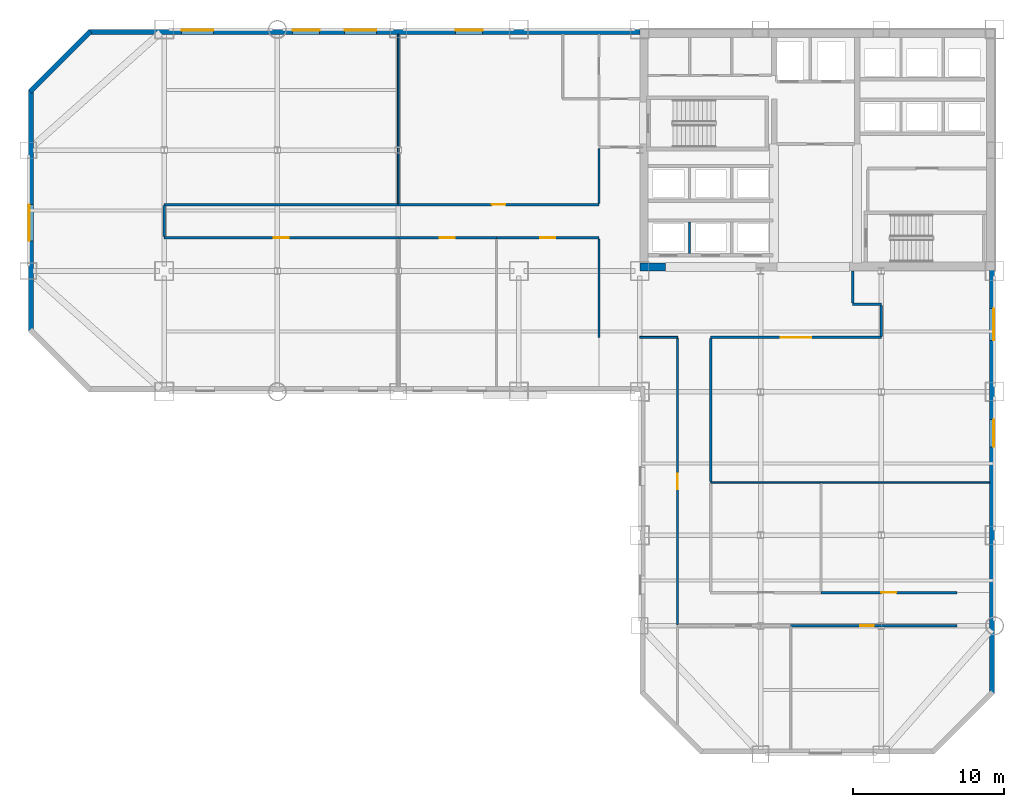
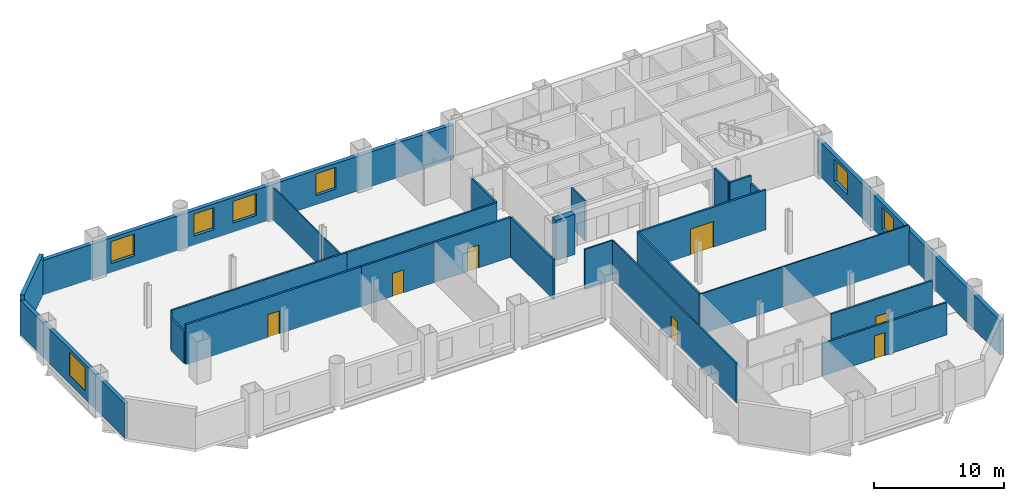
# One storey, part 5 of 9: 26 walls, 8 doors, 7 windows, 15 openings.
"""IFC4 building model written with IfcOpenShell, lengths in metres."""

from ifc_helpers import new_model, si_unit, direction, frame, frame_2d, origin, place, context, subcontext, project, spatial, rectangle, extrude, material, layer, layer_set, type_object, element, fill, save


model = new_model("IFC4")

# Units and contexts
model_context = context("Model", 3, precision=1e-05, world=origin(), true_north=direction((0.0, 1.0)))
body_context = subcontext(model_context, "Body", "Model", "MODEL_VIEW")
ifc_project = project(units=[si_unit("LENGTHUNIT", "METRE"), si_unit("AREAUNIT", "SQUARE_METRE"), si_unit("VOLUMEUNIT", "CUBIC_METRE"), si_unit("PLANEANGLEUNIT", "RADIAN"), si_unit("MASSUNIT", "GRAM", prefix="KILO")], contexts=[model_context])

# Site, building, storey
site_placement = place(None, origin())
site = spatial("IfcSite", under=ifc_project, at=site_placement, CompositionType="ELEMENT")
building_placement = place(site_placement, origin())
building = spatial("IfcBuilding", under=site, at=building_placement, Name="Qianrong Seaharbour Tower", CompositionType="ELEMENT")
storey_placement = place(building_placement, frame((0.0, 0.0, 56.199951171875)))
storey = spatial("IfcBuildingStorey", under=building, at=storey_placement, Name="L13", CompositionType="ELEMENT", Elevation=56.199951171875)

# Wall
ifc_material_1 = material(Name="Concrete C70/85", Category="concrete")
ifc_layer_1 = layer(ifc_material_1, 0.5400390625)
ifc_layer_set_1 = layer_set([ifc_layer_1], Name="Concrete C70/85")
wall_type_1 = type_object("IfcWallType", Name="WALL-CORE-540", PredefinedType="SHEAR", material=ifc_layer_set_1)
wall_1_placement = place(storey_placement, frame((40.5, 36.27001953125, 0.0), z_axis=(0.0, 0.0, 1.0), x_axis=(1.0, 0.0, 0.0)))
element("IfcWall", 1, at=wall_1_placement, inside=storey, type_object=wall_type_1, Name="L13 South Core Shear Wall S1", PredefinedType="SHEAR", context=body_context, shape_type="SweptSolid", body=[
    extrude(rectangle(XDim=1.699951171875, YDim=0.5400390625, at=frame_2d((0.85009765625, 0.0))), origin(), (0.0, 0.0, 1.0), 3.75),
])

# Wall, opening, door
ifc_material_2 = material(Name="Fire-rated acoustic gypsum board partition")
ifc_layer_2 = layer(ifc_material_2, 0.1650390625)
ifc_layer_set_2 = layer_set([ifc_layer_2], Name="Fire-rated acoustic gypsum board partition")
wall_type_2 = type_object("IfcWallType", Name="WALL-CORR-PART-165", PredefinedType="PARTITIONING", material=ifc_layer_set_2)
wall_2_placement = place(storey_placement, frame((24.5, 38.199951171875, 0.0), z_axis=(0.0, 0.0, 1.0), x_axis=(-1.0, 0.0, 0.0)))
wall_2 = element("IfcWall", 2, at=wall_2_placement, inside=storey, type_object=wall_type_2, Name="L13 Interior Partition Wall 015", PredefinedType="PARTITIONING", context=body_context, shape_type="SweptSolid", body=[
    extrude(rectangle(XDim=15.5, YDim=0.1650390625, at=frame_2d((7.75, 0.0))), origin(), (0.0, 0.0, 1.0), 3.75),
])
opening_1_placement = place(wall_2_placement, frame((7.25, 0.0, 0.0)))
opening_1 = element("IfcOpeningElement", 3, at=opening_1_placement, cuts=wall_2, Name="Opening DO-01", PredefinedType="OPENING", context=body_context, shape_type="SweptSolid", body=[
    extrude(rectangle(XDim=1.0, YDim=2.14990234375, at=frame_2d((0.5, 1.074951171875))), frame((0.0, 0.092529296875, 0.0), z_axis=(0.0, -1.0, 0.0), x_axis=(1.0, 0.0, 0.0)), (0.0, 0.0, 1.0), 0.18505859375),
])
ifc_material_3 = material(Name="Acoustic timber and galvanized steel fire door assembly", Category="steel")
door_type_1 = type_object("IfcDoorType", Name="DOOR-OFFICE-1000x2150", OperationType="NOTDEFINED", PredefinedType="DOOR", material=ifc_material_3)
door_1_placement = place(opening_1_placement, origin())
door_1 = element("IfcDoor", 4, at=door_1_placement, inside=storey, type_object=door_type_1, Name="L13 West Harbour Open-Plan Office Door", OperationType="SINGLE_SWING_RIGHT", OverallHeight=2.14990234375, OverallWidth=1.0, PredefinedType="DOOR", context=body_context, shape_type="SweptSolid", body=[
    extrude(rectangle(XDim=1.0, YDim=2.14990234375, at=frame_2d((0.5, 1.074951171875))), frame((0.0, 0.02490234375, 0.0), z_axis=(0.0, -1.0, 0.0), x_axis=(1.0, 0.0, 0.0)), (0.0, 0.0, 1.0), 0.050048828125),
])
fill(opening_1, door_1)

# Walls
wall_3_placement = place(storey_placement, frame((9.0, 38.2744140625, 0.0), z_axis=(0.0, 0.0, 1.0), x_axis=(0.0, 1.0, 0.0)))
element("IfcWall", 5, at=wall_3_placement, inside=storey, type_object=wall_type_2, Name="L13 Interior Partition Wall 016", PredefinedType="PARTITIONING", context=body_context, shape_type="SweptSolid", body=[
    extrude(rectangle(XDim=2.051025390625, YDim=0.1650390625, at=frame_2d((1.025390625, 0.0))), origin(), (0.0, 0.0, 1.0), 3.0419921875),
])
wall_4_placement = place(storey_placement, frame((9.0, 40.39990234375, 0.0), z_axis=(0.0, 0.0, 1.0), x_axis=(1.0, 0.0, 0.0)))
element("IfcWall", 6, at=wall_4_placement, inside=storey, type_object=wall_type_2, Name="L13 Interior Partition Wall 017", PredefinedType="PARTITIONING", context=body_context, shape_type="SweptSolid", body=[
    extrude(rectangle(XDim=15.5, YDim=0.1650390625, at=frame_2d((7.75, 0.0))), origin(), (0.0, 0.0, 1.0), 3.75),
])

# Wall, opening, door
wall_5_placement = place(storey_placement, frame((24.5, 40.39990234375, 0.0), z_axis=(0.0, 0.0, 1.0), x_axis=(1.0, 0.0, 0.0)))
wall_5 = element("IfcWall", 7, at=wall_5_placement, inside=storey, type_object=wall_type_2, Name="L13 Interior Partition Wall 018", PredefinedType="PARTITIONING", context=body_context, shape_type="SweptSolid", body=[
    extrude(rectangle(XDim=13.300048828125, YDim=0.1650390625, at=frame_2d((6.64990234375, 0.0))), origin(), (0.0, 0.0, 1.0), 3.75),
])
opening_2_placement = place(wall_5_placement, frame((6.199951171875, 0.0, 0.0)))
opening_2 = element("IfcOpeningElement", 8, at=opening_2_placement, cuts=wall_5, Name="Opening DS-01", PredefinedType="OPENING", context=body_context, shape_type="SweptSolid", body=[
    extrude(rectangle(XDim=0.89990234375, YDim=2.14990234375, at=frame_2d((0.449951171875, 1.074951171875))), frame((0.0, 0.092529296875, 0.0), z_axis=(0.0, -1.0, 0.0), x_axis=(1.0, 0.0, 0.0)), (0.0, 0.0, 1.0), 0.18505859375),
])
door_type_2 = type_object("IfcDoorType", Name="DOOR-STORE-900x2150", OperationType="NOTDEFINED", PredefinedType="DOOR", material=ifc_material_3)
door_2_placement = place(opening_2_placement, origin())
door_2 = element("IfcDoor", 9, at=door_2_placement, inside=storey, type_object=door_type_2, Name="L13 Corporate Archive Room Door", OperationType="SINGLE_SWING_LEFT", OverallHeight=2.14990234375, OverallWidth=0.89990234375, PredefinedType="DOOR", context=body_context, shape_type="SweptSolid", body=[
    extrude(rectangle(XDim=0.89990234375, YDim=2.14990234375, at=frame_2d((0.449951171875, 1.074951171875))), frame((0.0, 0.02490234375, 0.0), z_axis=(0.0, -1.0, 0.0), x_axis=(1.0, 0.0, 0.0)), (0.0, 0.0, 1.0), 0.050048828125),
])
fill(opening_2, door_2)

wall_6_placement = place(storey_placement, frame((31.0, 38.199951171875, 0.0), z_axis=(0.0, 0.0, 1.0), x_axis=(-1.0, 0.0, 0.0)))
wall_6 = element("IfcWall", 10, at=wall_6_placement, inside=storey, type_object=wall_type_2, Name="L13 Interior Partition Wall 019", PredefinedType="PARTITIONING", context=body_context, shape_type="SweptSolid", body=[
    extrude(rectangle(XDim=6.5, YDim=0.1650390625, at=frame_2d((3.25, 0.0))), origin(), (0.0, 0.0, 1.0), 3.75),
])
opening_3_placement = place(wall_6_placement, frame((2.75, 0.0, 0.0)))
opening_3 = element("IfcOpeningElement", 11, at=opening_3_placement, cuts=wall_6, Name="Opening DO-01", PredefinedType="OPENING", context=body_context, shape_type="SweptSolid", body=[
    extrude(rectangle(XDim=1.0, YDim=2.14990234375, at=frame_2d((0.5, 1.074951171875))), frame((0.0, 0.092529296875, 0.0), z_axis=(0.0, -1.0, 0.0), x_axis=(1.0, 0.0, 0.0)), (0.0, 0.0, 1.0), 0.18505859375),
])
door_3_placement = place(opening_3_placement, origin())
door_3 = element("IfcDoor", 12, at=door_3_placement, inside=storey, type_object=door_type_1, Name="L13 Project Library 1 Door", OperationType="SINGLE_SWING_RIGHT", OverallHeight=2.14990234375, OverallWidth=1.0, PredefinedType="DOOR", context=body_context, shape_type="SweptSolid", body=[
    extrude(rectangle(XDim=1.0, YDim=2.14990234375, at=frame_2d((0.5, 1.074951171875))), frame((0.0, 0.02490234375, 0.0), z_axis=(0.0, -1.0, 0.0), x_axis=(1.0, 0.0, 0.0)), (0.0, 0.0, 1.0), 0.050048828125),
])
fill(opening_3, door_3)

wall_7_placement = place(storey_placement, frame((37.800048828125, 38.199951171875, 0.0), z_axis=(0.0, 0.0, 1.0), x_axis=(-1.0, 0.0, 0.0)))
wall_7 = element("IfcWall", 13, at=wall_7_placement, inside=storey, type_object=wall_type_2, Name="L13 Interior Partition Wall 020", PredefinedType="PARTITIONING", context=body_context, shape_type="SweptSolid", body=[
    extrude(rectangle(XDim=6.800048828125, YDim=0.1650390625, at=frame_2d((3.39990234375, 0.0))), origin(), (0.0, 0.0, 1.0), 3.75),
])
opening_4_placement = place(wall_7_placement, frame((2.89990234375, 0.0, 0.0)))
opening_4 = element("IfcOpeningElement", 14, at=opening_4_placement, cuts=wall_7, Name="Opening DO-01", PredefinedType="OPENING", context=body_context, shape_type="SweptSolid", body=[
    extrude(rectangle(XDim=1.0, YDim=2.14990234375, at=frame_2d((0.5, 1.074951171875))), frame((0.0, 0.092529296875, 0.0), z_axis=(0.0, -1.0, 0.0), x_axis=(1.0, 0.0, 0.0)), (0.0, 0.0, 1.0), 0.18505859375),
])
door_4_placement = place(opening_4_placement, origin())
door_4 = element("IfcDoor", 15, at=door_4_placement, inside=storey, type_object=door_type_1, Name="L13 Digital Media Hall 2 Door", OperationType="SINGLE_SWING_LEFT", OverallHeight=2.14990234375, OverallWidth=1.0, PredefinedType="DOOR", context=body_context, shape_type="SweptSolid", body=[
    extrude(rectangle(XDim=1.0, YDim=2.14990234375, at=frame_2d((0.5, 1.074951171875))), frame((0.0, 0.02490234375, 0.0), z_axis=(0.0, -1.0, 0.0), x_axis=(1.0, 0.0, 0.0)), (0.0, 0.0, 1.0), 0.050048828125),
])
fill(opening_4, door_4)

# Walls
wall_8_placement = place(storey_placement, frame((37.800048828125, 40.474609375, 0.0), z_axis=(0.0, 0.0, 1.0), x_axis=(0.0, 1.0, 0.0)))
element("IfcWall", 16, at=wall_8_placement, inside=storey, type_object=wall_type_2, Name="L13 Interior Partition Wall 021", PredefinedType="PARTITIONING", context=body_context, shape_type="SweptSolid", body=[
    extrude(rectangle(XDim=3.65087890625, YDim=0.1650390625, at=frame_2d((1.825439453125, 0.0))), origin(), (0.0, 0.0, 1.0), 3.75),
])
wall_9_placement = place(storey_placement, frame((37.800048828125, 31.60009765625, 0.0), z_axis=(0.0, 0.0, 1.0), x_axis=(0.0, 1.0, 0.0)))
element("IfcWall", 17, at=wall_9_placement, inside=storey, type_object=wall_type_2, Name="L13 Interior Partition Wall 022", PredefinedType="PARTITIONING", context=body_context, shape_type="SweptSolid", body=[
    extrude(rectangle(XDim=6.525390625, YDim=0.1650390625, at=frame_2d((3.2626953125, 0.0))), origin(), (0.0, 0.0, 1.0), 3.75),
])
wall_10_placement = place(storey_placement, frame((54.60009765625, 36.0, 0.0), z_axis=(0.0, 0.0, 1.0), x_axis=(0.0, -1.0, 0.0)))
element("IfcWall", 18, at=wall_10_placement, inside=storey, type_object=wall_type_2, Name="L13 Interior Partition Wall 023", PredefinedType="PARTITIONING", context=body_context, shape_type="SweptSolid", body=[
    extrude(rectangle(XDim=2.12548828125, YDim=0.1650390625, at=frame_2d((1.062744140625, 0.0))), origin(), (0.0, 0.0, 1.0), 3.75),
])
wall_11_placement = place(storey_placement, frame((54.60009765625, 33.800048828125, 0.0), z_axis=(0.0, 0.0, 1.0), x_axis=(1.0, 0.0, 0.0)))
element("IfcWall", 19, at=wall_11_placement, inside=storey, type_object=wall_type_2, Name="L13 Interior Partition Wall 024", PredefinedType="PARTITIONING", context=body_context, shape_type="SweptSolid", body=[
    extrude(rectangle(XDim=1.89990234375, YDim=0.1650390625, at=frame_2d((0.949951171875, 0.0))), origin(), (0.0, 0.0, 1.0), 3.75),
])
wall_12_placement = place(storey_placement, frame((56.5, 33.7255859375, 0.0), z_axis=(0.0, 0.0, 1.0), x_axis=(0.0, -1.0, 0.0)))
element("IfcWall", 20, at=wall_12_placement, inside=storey, type_object=wall_type_2, Name="L13 Interior Partition Wall 025", PredefinedType="PARTITIONING", context=body_context, shape_type="SweptSolid", body=[
    extrude(rectangle(XDim=2.051025390625, YDim=0.1650390625, at=frame_2d((1.025390625, 0.0))), origin(), (0.0, 0.0, 1.0), 3.0419921875),
])

# Wall, opening, door
wall_13_placement = place(storey_placement, frame((56.5, 31.60009765625, 0.0), z_axis=(0.0, 0.0, 1.0), x_axis=(-1.0, 0.0, 0.0)))
wall_13 = element("IfcWall", 21, at=wall_13_placement, inside=storey, type_object=wall_type_2, Name="L13 Interior Partition Wall 026", PredefinedType="PARTITIONING", context=body_context, shape_type="SweptSolid", body=[
    extrude(rectangle(XDim=11.300048828125, YDim=0.1650390625, at=frame_2d((5.64990234375, 0.0))), origin(), (0.0, 0.0, 1.0), 3.75),
])
opening_5_placement = place(wall_13_placement, frame((4.64990234375, 0.0, 0.0)))
opening_5 = element("IfcOpeningElement", 22, at=opening_5_placement, cuts=wall_13, Name="Opening DA-01", PredefinedType="OPENING", context=body_context, shape_type="SweptSolid", body=[
    extrude(rectangle(XDim=2.0, YDim=2.39990234375, at=frame_2d((1.0, 1.199951171875))), frame((0.0, 0.092529296875, 0.0), z_axis=(0.0, -1.0, 0.0), x_axis=(1.0, 0.0, 0.0)), (0.0, 0.0, 1.0), 0.18505859375),
])
door_type_3 = type_object("IfcDoorType", Name="DOOR-AUD-PAIR-2000x2400", OperationType="DOUBLE_DOOR_SINGLE_SWING", PredefinedType="DOOR", material=ifc_material_3)
door_5_placement = place(opening_5_placement, origin())
door_5 = element("IfcDoor", 23, at=door_5_placement, inside=storey, type_object=door_type_3, Name="L13 Staff Club Assembly Hall Door", OperationType="DOUBLE_DOOR_SINGLE_SWING", OverallHeight=2.39990234375, OverallWidth=2.0, PredefinedType="DOOR", context=body_context, shape_type="SweptSolid", body=[
    extrude(rectangle(XDim=2.0, YDim=2.39990234375, at=frame_2d((1.0, 1.199951171875))), frame((0.0, 0.02490234375, 0.0), z_axis=(0.0, -1.0, 0.0), x_axis=(1.0, 0.0, 0.0)), (0.0, 0.0, 1.0), 0.050048828125),
])
fill(opening_5, door_5)

# Wall
wall_14_placement = place(storey_placement, frame((45.199951171875, 31.525390625, 0.0), z_axis=(0.0, 0.0, 1.0), x_axis=(0.0, -1.0, 0.0)))
element("IfcWall", 24, at=wall_14_placement, inside=storey, type_object=wall_type_2, Name="L13 Interior Partition Wall 028", PredefinedType="PARTITIONING", context=body_context, shape_type="SweptSolid", body=[
    extrude(rectangle(XDim=9.478271484375, YDim=0.1650390625, at=frame_2d((4.7392578125, 0.0))), origin(), (0.0, 0.0, 1.0), 3.75),
])

# Wall, opening, door
wall_15_placement = place(storey_placement, frame((52.5, 14.699951171875, 0.0), z_axis=(0.0, 0.0, 1.0), x_axis=(1.0, 0.0, 0.0)))
wall_15 = element("IfcWall", 25, at=wall_15_placement, inside=storey, type_object=wall_type_2, Name="L13 Interior Partition Wall 033", PredefinedType="PARTITIONING", context=body_context, shape_type="SweptSolid", body=[
    extrude(rectangle(XDim=9.0, YDim=0.1650390625, at=frame_2d((4.5, 0.0))), origin(), (0.0, 0.0, 1.0), 3.75),
])
opening_6_placement = place(wall_15_placement, frame((4.0, 0.0, 0.0)))
opening_6 = element("IfcOpeningElement", 26, at=opening_6_placement, cuts=wall_15, Name="Opening DO-01", PredefinedType="OPENING", context=body_context, shape_type="SweptSolid", body=[
    extrude(rectangle(XDim=1.0, YDim=2.14990234375, at=frame_2d((0.5, 1.074951171875))), frame((0.0, 0.092529296875, 0.0), z_axis=(0.0, -1.0, 0.0), x_axis=(1.0, 0.0, 0.0)), (0.0, 0.0, 1.0), 0.18505859375),
])
door_6_placement = place(opening_6_placement, origin())
door_6 = element("IfcDoor", 27, at=door_6_placement, inside=storey, type_object=door_type_1, Name="L13 Executive Office 2 Door", OperationType="SINGLE_SWING_LEFT", OverallHeight=2.14990234375, OverallWidth=1.0, PredefinedType="DOOR", context=body_context, shape_type="SweptSolid", body=[
    extrude(rectangle(XDim=1.0, YDim=2.14990234375, at=frame_2d((0.5, 1.074951171875))), frame((0.0, 0.02490234375, 0.0), z_axis=(0.0, -1.0, 0.0), x_axis=(1.0, 0.0, 0.0)), (0.0, 0.0, 1.0), 0.050048828125),
])
fill(opening_6, door_6)

wall_16_placement = place(storey_placement, frame((61.5, 12.5, 0.0), z_axis=(0.0, 0.0, 1.0), x_axis=(-1.0, 0.0, 0.0)))
wall_16 = element("IfcWall", 28, at=wall_16_placement, inside=storey, type_object=wall_type_2, Name="L13 Interior Partition Wall 035", PredefinedType="PARTITIONING", context=body_context, shape_type="SweptSolid", body=[
    extrude(rectangle(XDim=11.0, YDim=0.1650390625, at=frame_2d((5.5, 0.0))), origin(), (0.0, 0.0, 1.0), 3.0419921875),
])
opening_7_placement = place(wall_16_placement, frame((5.5, 0.0, 0.0)))
opening_7 = element("IfcOpeningElement", 29, at=opening_7_placement, cuts=wall_16, Name="Opening DS-01", PredefinedType="OPENING", context=body_context, shape_type="SweptSolid", body=[
    extrude(rectangle(XDim=0.89990234375, YDim=2.14990234375, at=frame_2d((0.449951171875, 1.074951171875))), frame((0.0, 0.092529296875, 0.0), z_axis=(0.0, -1.0, 0.0), x_axis=(1.0, 0.0, 0.0)), (0.0, 0.0, 1.0), 0.18505859375),
])
door_7_placement = place(opening_7_placement, origin())
door_7 = element("IfcDoor", 30, at=door_7_placement, inside=storey, type_object=door_type_2, Name="L13 Corporate Archive Room 2 Door", OperationType="SINGLE_SWING_RIGHT", OverallHeight=2.14990234375, OverallWidth=0.89990234375, PredefinedType="DOOR", context=body_context, shape_type="SweptSolid", body=[
    extrude(rectangle(XDim=0.89990234375, YDim=2.14990234375, at=frame_2d((0.449951171875, 1.074951171875))), frame((0.0, 0.02490234375, 0.0), z_axis=(0.0, -1.0, 0.0), x_axis=(1.0, 0.0, 0.0)), (0.0, 0.0, 1.0), 0.050048828125),
])
fill(opening_7, door_7)

# Walls
ifc_material_4 = material(Name="Demountable aluminium-framed acoustic office partition", Category="aluminium")
ifc_layer_3 = layer(ifc_material_4, 0.110107421875)
ifc_layer_set_3 = layer_set([ifc_layer_3], Name="Demountable aluminium-framed acoustic office partition")
wall_type_3 = type_object("IfcWallType", Name="WALL-DEMOUNT-110", PredefinedType="MOVABLE", material=ifc_layer_set_3)
wall_17_placement = place(storey_placement, frame((24.5, 51.66796875, 0.0), z_axis=(0.0, 0.0, 1.0), x_axis=(0.0, -1.0, 0.0)))
element("IfcWall", 31, at=wall_17_placement, inside=storey, type_object=wall_type_3, Name="L13 Interior Partition Wall 036", PredefinedType="MOVABLE", context=body_context, shape_type="SweptSolid", body=[
    extrude(rectangle(XDim=11.193359375, YDim=0.110107421875, at=frame_2d((5.5966796875, 0.0))), origin(), (0.0, 0.0, 1.0), 3.0419921875),
])
wall_18_placement = place(storey_placement, frame((52.5, 22.0, 0.0), z_axis=(0.0, 0.0, 1.0), x_axis=(-1.0, 0.0, 0.0)))
element("IfcWall", 32, at=wall_18_placement, inside=storey, type_object=wall_type_3, Name="L13 Interior Partition Wall 039", PredefinedType="MOVABLE", context=body_context, shape_type="SweptSolid", body=[
    extrude(rectangle(XDim=7.300048828125, YDim=0.110107421875, at=frame_2d((3.64990234375, 0.0))), origin(), (0.0, 0.0, 1.0), 3.75),
])
wall_19_placement = place(storey_placement, frame((63.66796875, 22.0, 0.0), z_axis=(0.0, 0.0, 1.0), x_axis=(-1.0, 0.0, 0.0)))
element("IfcWall", 33, at=wall_19_placement, inside=storey, type_object=wall_type_3, Name="L13 Interior Partition Wall 040", PredefinedType="MOVABLE", context=body_context, shape_type="SweptSolid", body=[
    extrude(rectangle(XDim=11.16796875, YDim=0.110107421875, at=frame_2d((5.583984375, 0.0))), origin(), (0.0, 0.0, 1.0), 3.75),
])

# Wall, opening, window
ifc_material_5 = material(Name="Unitised buff brick on Precast concrete C45/55", Category="masonry")
ifc_layer_4 = layer(ifc_material_5, 0.340087890625)
ifc_layer_set_4 = layer_set([ifc_layer_4], Name="Unitised buff brick on Precast concrete C45/55")
wall_type_4 = type_object("IfcWallType", Name="WALL-EXT-BRICK-BUFF-340", PredefinedType="SOLIDWALL", material=ifc_layer_set_4)
wall_20_placement = place(storey_placement, frame((0.169921875, 32.0, 0.0), z_axis=(0.0, 0.0, 1.0), x_axis=(0.0, 1.0, 0.0)))
wall_20 = element("IfcWall", 34, at=wall_20_placement, inside=storey, type_object=wall_type_4, Name="L13 Exterior Masonry Facade Wall WEST_TIP", PredefinedType="SOLIDWALL", context=body_context, shape_type="SweptSolid", body=[
    extrude(rectangle(XDim=16.0, YDim=0.340087890625, at=frame_2d((8.0, 0.0))), origin(), (0.0, 0.0, 1.0), 3.25),
])
opening_8_placement = place(wall_20_placement, frame((6.0, 0.0, 0.800048828125)))
opening_8 = element("IfcOpeningElement", 35, at=opening_8_placement, cuts=wall_20, Name="Opening WN-07", PredefinedType="OPENING", context=body_context, shape_type="SweptSolid", body=[
    extrude(rectangle(XDim=2.39990234375, YDim=2.14990234375, at=frame_2d((1.199951171875, 1.074951171875))), frame((0.0, 0.18017578125, 0.0), z_axis=(0.0, -1.0, 0.0), x_axis=(1.0, 0.0, 0.0)), (0.0, 0.0, 1.0), 0.360107421875),
])
ifc_material_6 = material(Name="Insulated low-e double glazing in thermally broken aluminium 6063-T6 frame", Category="aluminium")
window_type_1 = type_object("IfcWindowType", Name="WIN-PUNCH-2400x2150", PartitioningType="TRIPLE_PANEL_VERTICAL", PredefinedType="WINDOW", material=ifc_material_6)
window_1_placement = place(opening_8_placement, origin())
window_1 = element("IfcWindow", 36, at=window_1_placement, inside=storey, type_object=window_type_1, Name="L13 Deep-Set Punched Window 03.02", OverallHeight=2.14990234375, OverallWidth=2.39990234375, PartitioningType="TRIPLE_PANEL_VERTICAL", PredefinedType="WINDOW", context=body_context, shape_type="SweptSolid", body=[
    extrude(rectangle(XDim=2.39990234375, YDim=2.14990234375, at=frame_2d((1.199951171875, 1.074951171875))), frame((0.0, 0.150146484375, 0.0), z_axis=(0.0, -1.0, 0.0), x_axis=(1.0, 0.0, 0.0)), (0.0, 0.0, 1.0), 0.06005859375),
])
fill(opening_8, window_1)

# Wall
wall_21_placement = place(storey_placement, frame((0.1201171875, 47.8798828125, 0.0), z_axis=(0.0, 0.0, 1.0), x_axis=(0.707106781187, 0.707106781187, 0.0)))
element("IfcWall", 37, at=wall_21_placement, inside=storey, type_object=wall_type_4, Name="L13 Exterior Masonry Facade Wall E04", PredefinedType="SOLIDWALL", context=body_context, shape_type="SweptSolid", body=[
    extrude(rectangle(XDim=5.65673828125, YDim=0.340087890625, at=frame_2d((2.828369140625, 0.0))), origin(), (0.0, 0.0, 1.0), 3.75),
])

# Wall, openings, windows
wall_22_placement = place(storey_placement, frame((4.0, 51.830078125, 0.0), z_axis=(0.0, 0.0, 1.0), x_axis=(1.0, 0.0, 0.0)))
wall_22 = element("IfcWall", 38, at=wall_22_placement, inside=storey, type_object=wall_type_4, Name="L13 Exterior Masonry Facade Wall NORTH_WING", PredefinedType="SOLIDWALL", context=body_context, shape_type="SweptSolid", body=[
    extrude(rectangle(XDim=36.52001953125, YDim=0.340087890625, at=frame_2d((18.260009765625, 0.0))), origin(), (0.0, 0.0, 1.0), 3.25),
])
opening_9_placement = place(wall_22_placement, frame((6.14990234375, 0.0, 0.85009765625)))
opening_9 = element("IfcOpeningElement", 39, at=opening_9_placement, cuts=wall_22, Name="Opening WN-06", PredefinedType="OPENING", context=body_context, shape_type="SweptSolid", body=[
    extrude(rectangle(XDim=2.10009765625, YDim=2.050048828125, at=frame_2d((1.050048828125, 1.02490234375))), frame((0.0, 0.18017578125, 0.0), z_axis=(0.0, -1.0, 0.0), x_axis=(1.0, 0.0, 0.0)), (0.0, 0.0, 1.0), 0.360107421875),
])
opening_10_placement = place(wall_22_placement, frame((13.5, 0.0, 0.85009765625)))
opening_10 = element("IfcOpeningElement", 40, at=opening_10_placement, cuts=wall_22, Name="Opening WN-05", PredefinedType="OPENING", context=body_context, shape_type="SweptSolid", body=[
    extrude(rectangle(XDim=1.800048828125, YDim=2.050048828125, at=frame_2d((0.89990234375, 1.02490234375))), frame((0.0, 0.18017578125, 0.0), z_axis=(0.0, -1.0, 0.0), x_axis=(1.0, 0.0, 0.0)), (0.0, 0.0, 1.0), 0.360107421875),
])
opening_11_placement = place(wall_22_placement, frame((16.949951171875, 0.0, 0.85009765625)))
opening_11 = element("IfcOpeningElement", 41, at=opening_11_placement, cuts=wall_22, Name="Opening WN-06", PredefinedType="OPENING", context=body_context, shape_type="SweptSolid", body=[
    extrude(rectangle(XDim=2.10009765625, YDim=2.050048828125, at=frame_2d((1.050048828125, 1.02490234375))), frame((0.0, 0.18017578125, 0.0), z_axis=(0.0, -1.0, 0.0), x_axis=(1.0, 0.0, 0.0)), (0.0, 0.0, 1.0), 0.360107421875),
])
opening_12_placement = place(wall_22_placement, frame((24.300048828125, 0.0, 0.85009765625)))
opening_12 = element("IfcOpeningElement", 42, at=opening_12_placement, cuts=wall_22, Name="Opening WN-05", PredefinedType="OPENING", context=body_context, shape_type="SweptSolid", body=[
    extrude(rectangle(XDim=1.800048828125, YDim=2.050048828125, at=frame_2d((0.89990234375, 1.02490234375))), frame((0.0, 0.18017578125, 0.0), z_axis=(0.0, -1.0, 0.0), x_axis=(1.0, 0.0, 0.0)), (0.0, 0.0, 1.0), 0.360107421875),
])
window_type_2 = type_object("IfcWindowType", Name="WIN-PUNCH-1800x2050", PartitioningType="TRIPLE_PANEL_VERTICAL", PredefinedType="WINDOW", material=ifc_material_6)
window_2_placement = place(opening_10_placement, origin())
window_2 = element("IfcWindow", 43, at=window_2_placement, inside=storey, type_object=window_type_2, Name="L13 Deep-Set Punched Window 05.04", OverallHeight=2.050048828125, OverallWidth=1.800048828125, PartitioningType="TRIPLE_PANEL_VERTICAL", PredefinedType="WINDOW", context=body_context, shape_type="SweptSolid", body=[
    extrude(rectangle(XDim=1.800048828125, YDim=2.050048828125, at=frame_2d((0.89990234375, 1.02490234375))), frame((0.0, 0.150146484375, 0.0), z_axis=(0.0, -1.0, 0.0), x_axis=(1.0, 0.0, 0.0)), (0.0, 0.0, 1.0), 0.06005859375),
])
fill(opening_10, window_2)
window_3_placement = place(opening_12_placement, origin())
window_3 = element("IfcWindow", 44, at=window_3_placement, inside=storey, type_object=window_type_2, Name="L13 Deep-Set Punched Window 05.07", OverallHeight=2.050048828125, OverallWidth=1.800048828125, PartitioningType="TRIPLE_PANEL_VERTICAL", PredefinedType="WINDOW", context=body_context, shape_type="SweptSolid", body=[
    extrude(rectangle(XDim=1.800048828125, YDim=2.050048828125, at=frame_2d((0.89990234375, 1.02490234375))), frame((0.0, 0.150146484375, 0.0), z_axis=(0.0, -1.0, 0.0), x_axis=(1.0, 0.0, 0.0)), (0.0, 0.0, 1.0), 0.06005859375),
])
fill(opening_12, window_3)
window_type_3 = type_object("IfcWindowType", Name="WIN-PUNCH-2100x2050", PartitioningType="TRIPLE_PANEL_VERTICAL", PredefinedType="WINDOW", material=ifc_material_6)
window_4_placement = place(opening_9_placement, origin())
window_4 = element("IfcWindow", 45, at=window_4_placement, inside=storey, type_object=window_type_3, Name="L13 Deep-Set Punched Window 05.02", OverallHeight=2.050048828125, OverallWidth=2.10009765625, PartitioningType="TRIPLE_PANEL_VERTICAL", PredefinedType="WINDOW", context=body_context, shape_type="SweptSolid", body=[
    extrude(rectangle(XDim=2.10009765625, YDim=2.050048828125, at=frame_2d((1.050048828125, 1.02490234375))), frame((0.0, 0.150146484375, 0.0), z_axis=(0.0, -1.0, 0.0), x_axis=(1.0, 0.0, 0.0)), (0.0, 0.0, 1.0), 0.06005859375),
])
fill(opening_9, window_4)
window_5_placement = place(opening_11_placement, origin())
window_5 = element("IfcWindow", 46, at=window_5_placement, inside=storey, type_object=window_type_3, Name="L13 Deep-Set Punched Window 05.05", OverallHeight=2.050048828125, OverallWidth=2.10009765625, PartitioningType="TRIPLE_PANEL_VERTICAL", PredefinedType="WINDOW", context=body_context, shape_type="SweptSolid", body=[
    extrude(rectangle(XDim=2.10009765625, YDim=2.050048828125, at=frame_2d((1.050048828125, 1.02490234375))), frame((0.0, 0.150146484375, 0.0), z_axis=(0.0, -1.0, 0.0), x_axis=(1.0, 0.0, 0.0)), (0.0, 0.0, 1.0), 0.06005859375),
])
fill(opening_11, window_5)

wall_23_placement = place(storey_placement, frame((63.830078125, 36.050048828125, 0.0), z_axis=(0.0, 0.0, 1.0), x_axis=(0.0, -1.0, 0.0)))
wall_23 = element("IfcWall", 47, at=wall_23_placement, inside=storey, type_object=wall_type_4, Name="L13 Exterior Masonry Facade Wall EAST_WING", PredefinedType="SOLIDWALL", context=body_context, shape_type="SweptSolid", body=[
    extrude(rectangle(XDim=28.050048828125, YDim=0.340087890625, at=frame_2d((14.02490234375, 0.0))), origin(), (0.0, 0.0, 1.0), 3.25),
])
opening_13_placement = place(wall_23_placement, frame((2.550048828125, 0.0, 0.85009765625)))
opening_13 = element("IfcOpeningElement", 48, at=opening_13_placement, cuts=wall_23, Name="Opening WN-06", PredefinedType="OPENING", context=body_context, shape_type="SweptSolid", body=[
    extrude(rectangle(XDim=2.10009765625, YDim=2.050048828125, at=frame_2d((1.050048828125, 1.02490234375))), frame((0.0, 0.18017578125, 0.0), z_axis=(0.0, -1.0, 0.0), x_axis=(1.0, 0.0, 0.0)), (0.0, 0.0, 1.0), 0.360107421875),
])
opening_14_placement = place(wall_23_placement, frame((9.89990234375, 0.0, 0.85009765625)))
opening_14 = element("IfcOpeningElement", 49, at=opening_14_placement, cuts=wall_23, Name="Opening WN-05", PredefinedType="OPENING", context=body_context, shape_type="SweptSolid", body=[
    extrude(rectangle(XDim=1.800048828125, YDim=2.050048828125, at=frame_2d((0.89990234375, 1.02490234375))), frame((0.0, 0.18017578125, 0.0), z_axis=(0.0, -1.0, 0.0), x_axis=(1.0, 0.0, 0.0)), (0.0, 0.0, 1.0), 0.360107421875),
])
window_6_placement = place(opening_14_placement, origin())
window_6 = element("IfcWindow", 50, at=window_6_placement, inside=storey, type_object=window_type_2, Name="L13 Deep-Set Punched Window 06.03", OverallHeight=2.050048828125, OverallWidth=1.800048828125, PartitioningType="TRIPLE_PANEL_VERTICAL", PredefinedType="WINDOW", context=body_context, shape_type="SweptSolid", body=[
    extrude(rectangle(XDim=1.800048828125, YDim=2.050048828125, at=frame_2d((0.89990234375, 1.02490234375))), frame((0.0, 0.150146484375, 0.0), z_axis=(0.0, -1.0, 0.0), x_axis=(1.0, 0.0, 0.0)), (0.0, 0.0, 1.0), 0.06005859375),
])
fill(opening_14, window_6)
window_7_placement = place(opening_13_placement, origin())
window_7 = element("IfcWindow", 51, at=window_7_placement, inside=storey, type_object=window_type_3, Name="L13 Deep-Set Punched Window 06.01", OverallHeight=2.050048828125, OverallWidth=2.10009765625, PartitioningType="TRIPLE_PANEL_VERTICAL", PredefinedType="WINDOW", context=body_context, shape_type="SweptSolid", body=[
    extrude(rectangle(XDim=2.10009765625, YDim=2.050048828125, at=frame_2d((1.050048828125, 1.02490234375))), frame((0.0, 0.150146484375, 0.0), z_axis=(0.0, -1.0, 0.0), x_axis=(1.0, 0.0, 0.0)), (0.0, 0.0, 1.0), 0.06005859375),
])
fill(opening_13, window_7)

# Walls
ifc_material_7 = material(Name="Fire-rated gypsum board on steel studs", Category="steel")
ifc_layer_5 = layer(ifc_material_7, 0.14990234375)
ifc_layer_set_5 = layer_set([ifc_layer_5], Name="Fire-rated gypsum board on steel studs")
wall_type_5 = type_object("IfcWallType", Name="WALL-SHAFT-DIV-150", PredefinedType="PARTITIONING", material=ifc_layer_set_5)
wall_24_placement = place(storey_placement, frame((43.800048828125, 37.159912109375, 0.0), z_axis=(0.0, 0.0, 1.0), x_axis=(0.0, 1.0, 0.0)))
element("IfcWall", 52, at=wall_24_placement, inside=storey, type_object=wall_type_5, Name="L13 P1 Lift Hoistway Divider 2", PredefinedType="PARTITIONING", context=body_context, shape_type="SweptSolid", body=[
    extrude(rectangle(XDim=2.080078125, YDim=0.14990234375, at=frame_2d((1.0400390625, 0.0))), origin(), (0.0, 0.0, 1.0), 3.75),
])
ifc_material_8 = material(Name="Water-resistant cement board sanitary partition")
ifc_layer_6 = layer(ifc_material_8, 0.1298828125)
ifc_layer_set_6 = layer_set([ifc_layer_6], Name="Water-resistant cement board sanitary partition")
wall_type_6 = type_object("IfcWallType", Name="WALL-WET-PART-130", PredefinedType="PARTITIONING", material=ifc_layer_set_6)
wall_25_placement = place(storey_placement, frame((43.0, 31.60009765625, 0.0), z_axis=(0.0, 0.0, 1.0), x_axis=(-1.0, 0.0, 0.0)))
element("IfcWall", 53, at=wall_25_placement, inside=storey, type_object=wall_type_6, Name="L13 Interior Partition Wall 027", PredefinedType="PARTITIONING", context=body_context, shape_type="SweptSolid", body=[
    extrude(rectangle(XDim=2.5, YDim=0.1298828125, at=frame_2d((1.25, 0.0))), origin(), (0.0, 0.0, 1.0), 3.75),
])

# Wall, opening, door
wall_26_placement = place(storey_placement, frame((43.0, 12.574462890625, 0.0), z_axis=(0.0, 0.0, 1.0), x_axis=(0.0, 1.0, 0.0)))
wall_26 = element("IfcWall", 54, at=wall_26_placement, inside=storey, type_object=wall_type_6, Name="L13 Interior Partition Wall 030", PredefinedType="PARTITIONING", context=body_context, shape_type="SweptSolid", body=[
    extrude(rectangle(XDim=18.968505859375, YDim=0.1298828125, at=frame_2d((9.484375, 0.0))), origin(), (0.0, 0.0, 1.0), 3.75),
])
opening_15_placement = place(wall_26_placement, frame((8.984130859375, 0.0, 0.0)))
opening_15 = element("IfcOpeningElement", 55, at=opening_15_placement, cuts=wall_26, Name="Opening DO-01", PredefinedType="OPENING", context=body_context, shape_type="SweptSolid", body=[
    extrude(rectangle(XDim=1.0, YDim=2.14990234375, at=frame_2d((0.5, 1.074951171875))), frame((0.0, 0.074951171875, 0.0), z_axis=(0.0, -1.0, 0.0), x_axis=(1.0, 0.0, 0.0)), (0.0, 0.0, 1.0), 0.14990234375),
])
door_8_placement = place(opening_15_placement, origin())
door_8 = element("IfcDoor", 56, at=door_8_placement, inside=storey, type_object=door_type_1, Name="L13 Wet Pantry Door", OperationType="SINGLE_SWING_RIGHT", OverallHeight=2.14990234375, OverallWidth=1.0, PredefinedType="DOOR", context=body_context, shape_type="SweptSolid", body=[
    extrude(rectangle(XDim=1.0, YDim=2.14990234375, at=frame_2d((0.5, 1.074951171875))), frame((0.0, 0.02490234375, 0.0), z_axis=(0.0, -1.0, 0.0), x_axis=(1.0, 0.0, 0.0)), (0.0, 0.0, 1.0), 0.050048828125),
])
fill(opening_15, door_8)

save(model, "model.ifc")
